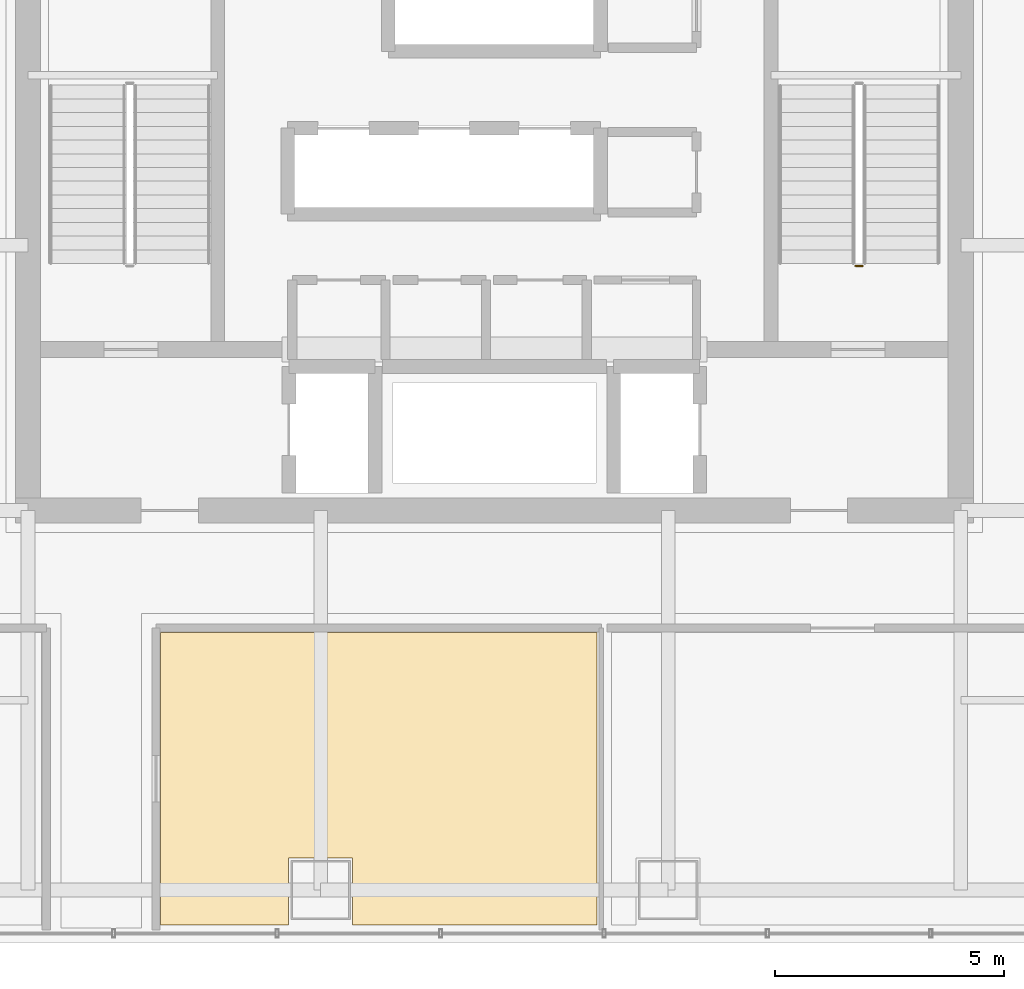
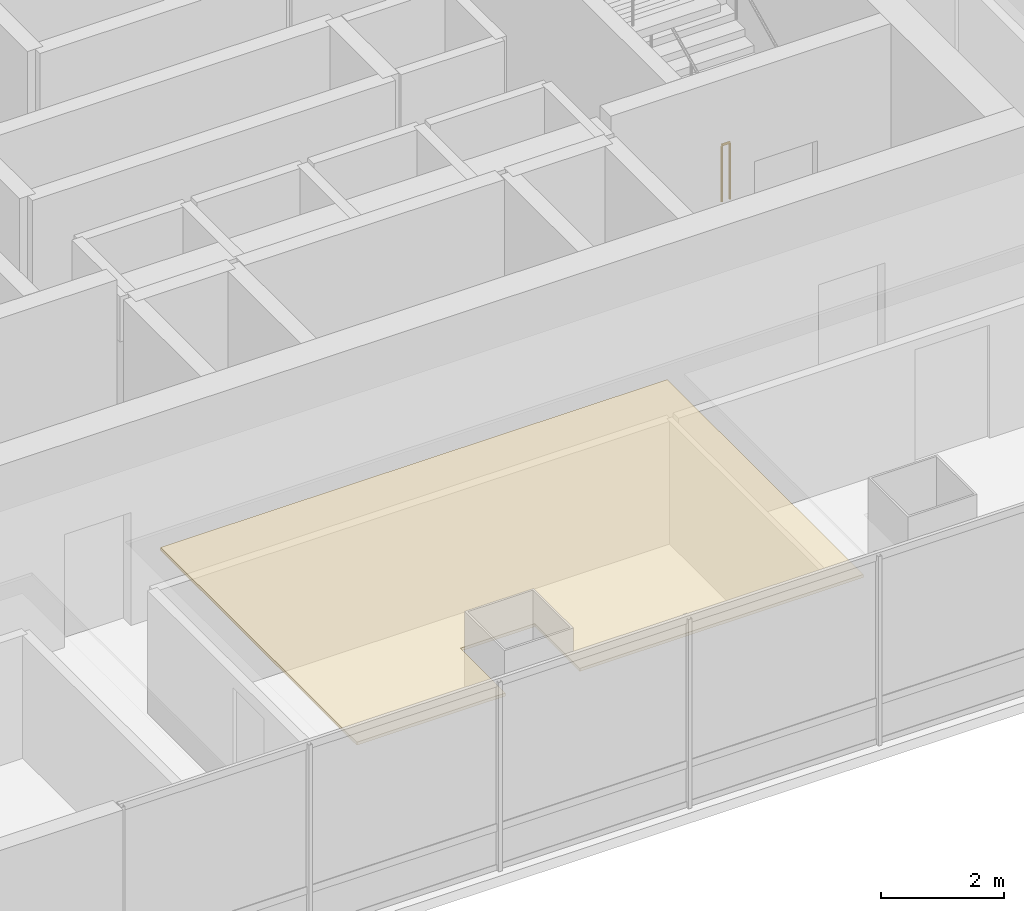
# One storey, part 42 of 51: 1 covering, 1 railing.
"""IFC4 building model written with IfcOpenShell, lengths in metres."""

import ifcopenshell
import ifcopenshell.guid

model = None  # the IFC model being written
_history = None  # IfcOwnerHistory: only IFC2X3 demands one
_inside = {}  # id of a spatial element -> (the spatial element, [elements in it])
_under = {}  # id of a project, library or spatial element -> (it, [spatial elements below it])
_declared = {}  # id of a project -> (the project, [libraries it declares])
_typed = {}  # id of a type object -> (the type object, [elements of that type])
_made_of = {}  # id of a material, layer set ... -> (it, [elements and type objects made of it])


def new_model(schema):
    """Start an empty IFC model of exactly this schema.

    Asked for "IFC4X3", IfcOpenShell would pick the latest addendum, in which some entities
    have other attributes; the version numbers below select the first issue.
    IFC2X3 requires an IfcOwnerHistory on every rooted entity: one is made here for all.
    """
    global model, _history
    if schema == "IFC4X3":
        model = ifcopenshell.file(schema_version=(4, 3, 0, 0))
    else:
        model = ifcopenshell.file(schema=schema)
    _inside.clear()
    _under.clear()
    _declared.clear()
    _typed.clear()
    _made_of.clear()
    _history = None
    if model.schema == "IFC2X3":
        org = make("IfcOrganization", Name="unknown")
        user = make(
            "IfcPersonAndOrganization",
            ThePerson=make("IfcPerson", FamilyName="unknown"),
            TheOrganization=org,
        )
        app = make(
            "IfcApplication",
            ApplicationDeveloper=org,
            Version="unknown",
            ApplicationFullName="unknown",
            ApplicationIdentifier="unknown",
        )
        _history = make(
            "IfcOwnerHistory",
            OwningUser=user,
            OwningApplication=app,
            ChangeAction="ADDED",
            CreationDate=0,
        )
    return model


def make(cls, **values):
    """One entity of the class cls with the attributes given. An attribute that is None is left unset."""
    return model.create_entity(
        cls, **{name: value for name, value in values.items() if value is not None}
    )


def rooted(cls, **values):
    """An entity with a GlobalId (a new one), such as an element, a storey or a relation."""
    return make(cls, GlobalId=ifcopenshell.guid.new(), OwnerHistory=_history, **values)


def si_unit(unit_type, name, prefix=None):
    """IfcSIUnit, for example si_unit("LENGTHUNIT", "METRE", prefix="MILLI")."""
    return make("IfcSIUnit", UnitType=unit_type, Prefix=prefix, Name=name)


def assignment(units):
    """IfcUnitAssignment: the units of a project."""
    return None if units is None else make("IfcUnitAssignment", Units=units)


def point(xyz):
    """IfcCartesianPoint."""
    return None if xyz is None else make("IfcCartesianPoint", Coordinates=xyz)


def direction(xyz):
    """IfcDirection."""
    return None if xyz is None else make("IfcDirection", DirectionRatios=xyz)


def frame(location, z_axis=None, x_axis=None):
    """IfcAxis2Placement3D, a coordinate frame: its origin and axes. An axis left out is left unset."""
    return make(
        "IfcAxis2Placement3D",
        Location=point(location),
        Axis=direction(z_axis),
        RefDirection=direction(x_axis),
    )


def frame_2d(location, x_axis=None):
    """IfcAxis2Placement2D, a coordinate frame in the plane: its origin and x axis."""
    return make(
        "IfcAxis2Placement2D", Location=point(location), RefDirection=direction(x_axis)
    )


def origin():
    """The frame at (0, 0, 0) with its axes left unset."""
    return frame((0.0, 0.0, 0.0))


def origin_2d():
    """The frame at (0, 0) in the plane with its x axis left unset."""
    return frame_2d((0.0, 0.0))


def place(relative_to, where):
    """IfcLocalPlacement: puts the frame where relative to a parent placement (None: the world)."""
    return make(
        "IfcLocalPlacement", PlacementRelTo=relative_to, RelativePlacement=where
    )


def context(
    kind, dimensions, precision=None, world=None, true_north=None, identifier=None
):
    """IfcGeometricRepresentationContext, for example the 3D "Model" context."""
    return make(
        "IfcGeometricRepresentationContext",
        ContextIdentifier=identifier,
        ContextType=kind,
        CoordinateSpaceDimension=dimensions,
        Precision=precision,
        WorldCoordinateSystem=world,
        TrueNorth=true_north,
    )


def subcontext(parent, identifier, kind, view, scale=None):
    """IfcGeometricRepresentationSubContext, for example "Body" below "Model"."""
    return make(
        "IfcGeometricRepresentationSubContext",
        ContextIdentifier=identifier,
        ContextType=kind,
        ParentContext=parent,
        TargetScale=scale,
        TargetView=view,
    )


def project(units=None, contexts=None):
    """IfcProject with its units and contexts."""
    return rooted(
        "IfcProject",
        Name="project",
        RepresentationContexts=contexts,
        UnitsInContext=assignment(units),
    )


def spatial(cls, under=None, at=None, **own):
    """A site, building, storey or space (cls), placed at a placement, below another one or the project."""
    s = rooted(cls, ObjectPlacement=at, **own)
    if under is not None:
        _under.setdefault(under.id(), (under, []))[1].append(s)
    return s


def polyline(points):
    """IfcPolyline through the points."""
    return make("IfcPolyline", Points=[point(p) for p in points])


def profile(cls, at=None, kind="AREA", **sizes):
    """A parametric profile (cls). Its sizes go by their IFC names, for example OverallWidth=200.0."""
    return make(cls, ProfileType=kind, Position=at, **sizes)


def circle(**sizes):
    """IfcCircleProfileDef."""
    return profile("IfcCircleProfileDef", **sizes)


def outline(outer, holes=None, kind="AREA"):
    """IfcArbitraryClosedProfileDef: a profile drawn as a closed curve; with holes, ...WithVoids."""
    if holes is None:
        return make("IfcArbitraryClosedProfileDef", ProfileType=kind, OuterCurve=outer)
    return make(
        "IfcArbitraryProfileDefWithVoids",
        ProfileType=kind,
        OuterCurve=outer,
        InnerCurves=holes,
    )


def extrude(swept, where, along, depth):
    """IfcExtrudedAreaSolid: the profile swept, set in the frame where, extruded along a direction by depth."""
    return make(
        "IfcExtrudedAreaSolid",
        SweptArea=swept,
        Position=where,
        ExtrudedDirection=direction(along),
        Depth=depth,
    )


def shape(context_of_items, identifier, shape_type, items):
    """IfcShapeRepresentation: the items that make up one representation, for example the "Body"."""
    return make(
        "IfcShapeRepresentation",
        ContextOfItems=context_of_items,
        RepresentationIdentifier=identifier,
        RepresentationType=shape_type,
        Items=items,
    )


def material(Name=None, Category=None):
    """IfcMaterial."""
    return make("IfcMaterial", Name=Name, Category=Category)


def layer(
    of_material, thickness, ventilated=None, Name=None, Category=None, Priority=None
):
    """IfcMaterialLayer: one layer of a wall or slab, of a material (None: an air gap)."""
    return make(
        "IfcMaterialLayer",
        Material=of_material,
        LayerThickness=thickness,
        IsVentilated=ventilated,
        Name=Name,
        Category=Category,
        Priority=Priority,
    )


def layer_set(layers, Name=None):
    """IfcMaterialLayerSet."""
    return make("IfcMaterialLayerSet", MaterialLayers=layers, LayerSetName=Name)


def made_of(thing, what):
    """Note that an element or type object is made of a material, layer set ...; save() writes the relation."""
    if what is not None:
        _made_of.setdefault(what.id(), (what, []))[1].append(thing)
    return thing


def type_object(cls, material=None, **own):
    """A type object (cls), such as IfcWallType, which elements share."""
    return made_of(rooted(cls, **own), material)


def element(
    cls,
    number,
    at=None,
    inside=None,
    cuts=None,
    type_object=None,
    material=None,
    context=None,
    identifier="Body",
    shape_type=None,
    held_by="IfcProductDefinitionShape",
    body=None,
    shapes=None,
    **own,
):
    """One element of the class cls, such as IfcWall. Its Tag is "e" and its number.

    at: its placement. inside: the storey or other place that contains it. cuts: it is an
    opening in that element (IfcRelVoidsElement). A single representation is given by context,
    identifier, shape_type and body (its items); several are given by shapes. held_by: the class
    of the entity that holds the representations. save() writes the other relations.
    """
    e = rooted(cls, Tag="e%d" % number, ObjectPlacement=at, **own)
    if body is not None:
        shapes = [shape(context, identifier, shape_type, body)]
    if shapes is not None:
        e.Representation = make(held_by, Representations=shapes)
    if inside is not None:
        _inside.setdefault(inside.id(), (inside, []))[1].append(e)
    if cuts is not None:
        rooted(
            "IfcRelVoidsElement", RelatingBuildingElement=cuts, RelatedOpeningElement=e
        )
    if type_object is not None:
        _typed.setdefault(type_object.id(), (type_object, []))[1].append(e)
    return made_of(e, material)


def aggregate(whole, parts):
    """IfcRelAggregates: a whole, such as a stair, and the parts it consists of."""
    return rooted("IfcRelAggregates", RelatingObject=whole, RelatedObjects=parts)


def save(model, path):
    """Write the relations noted so far, then the file.

    IfcRelAggregates (storeys below a building ...), IfcRelContainedInSpatialStructure (elements
    in a storey), IfcRelDefinesByType, IfcRelAssociatesMaterial and IfcRelDeclares: one each for
    every whole, place, type object, material and project.
    """
    for whole, parts in _under.values():
        aggregate(whole, parts)
    for where, things in _inside.values():
        rooted(
            "IfcRelContainedInSpatialStructure",
            RelatedElements=things,
            RelatingStructure=where,
        )
    for kind, things in _typed.values():
        rooted("IfcRelDefinesByType", RelatedObjects=things, RelatingType=kind)
    for what, things in _made_of.values():
        rooted("IfcRelAssociatesMaterial", RelatedObjects=things, RelatingMaterial=what)
    for by, libraries in _declared.values():
        rooted("IfcRelDeclares", RelatingContext=by, RelatedDefinitions=libraries)
    model.write(path)


model = new_model("IFC4")

# Units and contexts
model_context = context("Model", 3, precision=1e-05, world=origin(), true_north=direction((0.0, 1.0)))
body_context = subcontext(model_context, "Body", "Model", "MODEL_VIEW")
ifc_project = project(units=[si_unit("LENGTHUNIT", "METRE"), si_unit("AREAUNIT", "SQUARE_METRE"), si_unit("VOLUMEUNIT", "CUBIC_METRE"), si_unit("PLANEANGLEUNIT", "RADIAN"), si_unit("MASSUNIT", "GRAM", prefix="KILO")], contexts=[model_context])

# Site, building, storey
site_placement = place(None, origin())
site = spatial("IfcSite", under=ifc_project, at=site_placement, CompositionType="ELEMENT")
building_placement = place(site_placement, origin())
building = spatial("IfcBuilding", under=site, at=building_placement, Name="Punatoya Terracotta Tower", CompositionType="ELEMENT")
storey_placement = place(building_placement, frame((0.0, 0.0, 279.75)))
storey = spatial("IfcBuildingStorey", under=building, at=storey_placement, Name="L66", CompositionType="ELEMENT", Elevation=279.75)

# Covering
ifc_material_1 = material(Name="Acoustic Mineral Fibre Ceiling")
ifc_layer = layer(ifc_material_1, 0.06005859375)
ifc_layer_set = layer_set([ifc_layer], Name="Acoustic Mineral Fibre Ceiling")
covering_type = type_object("IfcCoveringType", Name="COV-CEIL-60", PredefinedType="CEILING", material=ifc_layer_set)
covering_placement = place(storey_placement, frame((0.0, 0.0, 3.239990234375)))
element("IfcCovering", 1, at=covering_placement, inside=storey, type_object=covering_type, Name="L66 Open-Plan Plenary Seminar Room Acoustic Ceiling", PredefinedType="CEILING", context=body_context, shape_type="SweptSolid", body=[
    extrude(outline(polyline([(-7.300048828125, -18.27001953125), (-4.5, -18.27001953125), (-4.5, -16.800048828125), (-3.10009765625, -16.800048828125), (-3.10009765625, -18.27001953125), (2.239990234375, -18.27001953125), (2.239990234375, -11.8701171875), (-7.300048828125, -11.8701171875), (-7.300048828125, -18.27001953125)])), origin(), (0.0, 0.0, 1.0), 0.06005859375),
])

# Railing
ifc_material_2 = material(Name="Steel S355", Category="steel")
railing_type = type_object("IfcRailingType", Name="RLG-GRD-1150", PredefinedType="GUARDRAIL", material=ifc_material_2)
railing_placement = place(storey_placement, frame((8.050048828125, -3.85009765625, 0.0)))
element("IfcRailing", 2, at=railing_placement, inside=storey, type_object=railing_type, Name="L66 ST-2 stair guard 4", PredefinedType="GUARDRAIL", context=body_context, shape_type="SweptSolid", body=[
    extrude(circle(Radius=0.02392578125, at=origin_2d()), frame((0.0, 0.0, 1.1259765625), z_axis=(-1.0, 0.0, 0.0), x_axis=(0.0, -1.0, 0.0)), (0.0, 0.0, 1.0), 0.150146484375),
    extrude(circle(Radius=0.02099609375, at=origin_2d()), origin(), (0.0, 0.0, 1.0), 1.101806640625),
    extrude(circle(Radius=0.02099609375, at=origin_2d()), frame((-0.150146484375, 0.0, 0.0)), (0.0, 0.0, 1.0), 1.101806640625),
])

save(model, "model.ifc")
